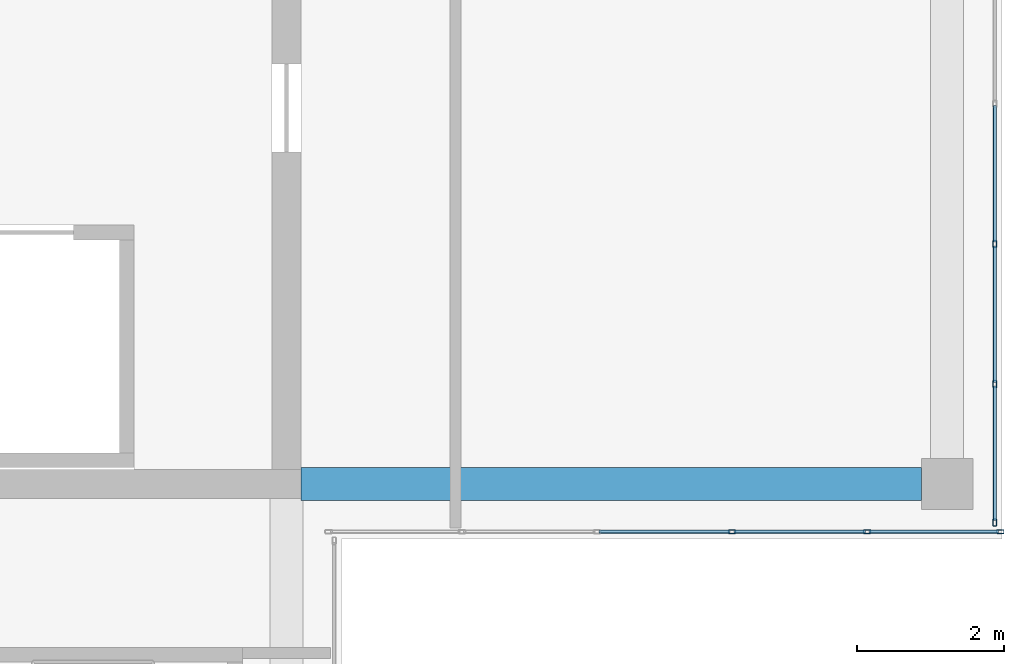
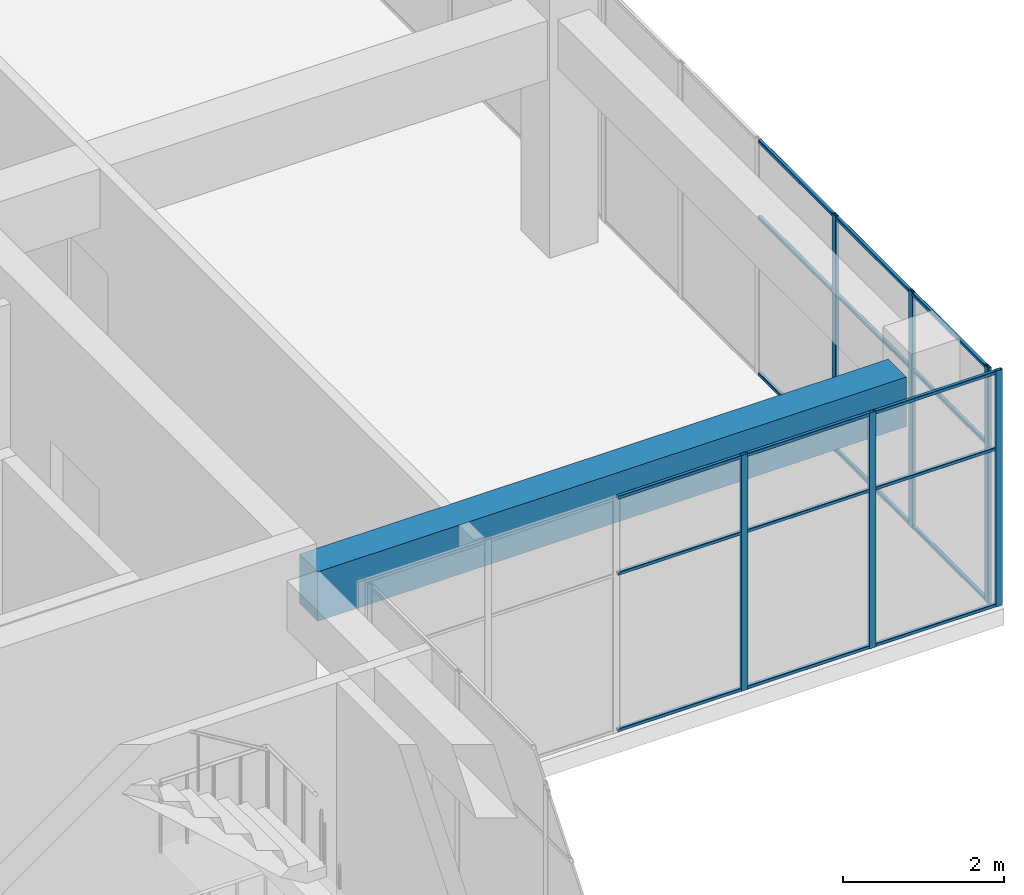
# One storey, part 13 of 32: 24 members, 1 beam, 2 elements without a shape of their own.
"""IFC4 building model written with IfcOpenShell, lengths in metres."""

from ifc_helpers import new_model, si_unit, direction, frame, origin, origin_2d, place, context, subcontext, project, spatial, rectangle, hollow_rectangle, extrude, material, layer, layer_set, material_profile, profile_set, type_object, element, aggregate, save


model = new_model("IFC4")

# Units and contexts
model_context = context("Model", 3, precision=1e-05, world=origin(), true_north=direction((0.0, 1.0)))
body_context = subcontext(model_context, "Body", "Model", "MODEL_VIEW")
ifc_project = project(units=[si_unit("LENGTHUNIT", "METRE"), si_unit("AREAUNIT", "SQUARE_METRE"), si_unit("VOLUMEUNIT", "CUBIC_METRE"), si_unit("PLANEANGLEUNIT", "RADIAN"), si_unit("MASSUNIT", "GRAM", prefix="KILO")], contexts=[model_context])

# Site, building, storey
site_placement = place(None, origin())
site = spatial("IfcSite", under=ifc_project, at=site_placement, CompositionType="ELEMENT")
building_placement = place(site_placement, origin())
building = spatial("IfcBuilding", under=site, at=building_placement, Name="Tuart Plaza Theatre", CompositionType="ELEMENT")
storey_placement = place(building_placement, frame((0.0, 0.0, 37.5)))
storey = spatial("IfcBuildingStorey", under=building, at=storey_placement, Name="L09", CompositionType="ELEMENT", Elevation=37.5)

# Beam
ifc_material_1 = material(Name="Concrete N40 (40 MPa)", Category="concrete")
ifc_material_profile_1 = material_profile(ifc_material_1, rectangle(XDim=0.449951171875, YDim=0.75, at=origin_2d()), Name="BEAM 450x750 Concrete N40 (40 MPa)")
ifc_profile_set_1 = profile_set([ifc_material_profile_1], Name="Concrete N40 (40 MPa)")
beam_type = type_object("IfcBeamType", Name="BEAM 450x750 Concrete N40 (40 MPa)", PredefinedType="BEAM", material=ifc_profile_set_1)
beam_placement = place(storey_placement, frame((141.199951171875, 65.0, 3.205078125), z_axis=(1.0, 0.0, 0.0), x_axis=(0.0, 1.0, 0.0)))
element("IfcBeam", 1, at=beam_placement, inside=storey, type_object=beam_type, Name="RB274", PredefinedType="BEAM", context=body_context, shape_type="SweptSolid", body=[
    extrude(rectangle(XDim=0.449951171875, YDim=0.75, at=origin_2d()), origin(), (0.0, 0.0, 1.0), 8.449951171875),
])

# Curtain wall, members
ifc_material_2 = material(Name="Aluminium and glass", Category="aluminium")
ifc_layer = layer(ifc_material_2, 0.10009765625)
ifc_layer_set = layer_set([ifc_layer], Name="CURTAIN WALL 2000 module")
curtain_wall_type = type_object("IfcCurtainWallType", Name="CURTAIN WALL 2000 module", PredefinedType="NOTDEFINED", material=ifc_layer_set)
curtain_wall_1_placement = place(storey_placement, origin())
curtain_wall_1 = element("IfcCurtainWall", 2, at=curtain_wall_1_placement, inside=storey, type_object=curtain_wall_type, Name="CW91", PredefinedType="NOTDEFINED")
ifc_material_3 = material(Name="Aluminium 6063-T5", Category="aluminium")
ifc_material_profile_2 = material_profile(ifc_material_3, hollow_rectangle(XDim=0.050048828125, YDim=0.10009765625, WallThickness=0.00390625, InnerFilletRadius=0.00390625, OuterFilletRadius=0.008056640625, at=origin_2d()), Name="RHS 100x50x4")
ifc_profile_set_2 = profile_set([ifc_material_profile_2], Name="Aluminium 6063-T5")
member_type_1 = type_object("IfcMemberType", Name="MULLION RHS 100x50x4", PredefinedType="MULLION", material=ifc_profile_set_2)
member_1_placement = place(storey_placement, frame((147.070068359375, 64.35009765625, 0.0), z_axis=(0.0, 0.0, 1.0), x_axis=(0.0, 1.0, 0.0)))
member_1 = element("IfcMember", 3, at=member_1_placement, type_object=member_type_1, Name="CW91 mullion 4", PredefinedType="MULLION", context=body_context, shape_type="SweptSolid", body=[
    extrude(hollow_rectangle(XDim=0.050048828125, YDim=0.10009765625, WallThickness=0.00390625, InnerFilletRadius=0.00390625, OuterFilletRadius=0.008056640625, at=origin_2d()), origin(), (0.0, 0.0, 1.0), 3.580078125),
])
member_2_placement = place(storey_placement, frame((148.909912109375, 64.35009765625, 0.0), z_axis=(0.0, 0.0, 1.0), x_axis=(0.0, 1.0, 0.0)))
member_2 = element("IfcMember", 4, at=member_2_placement, type_object=member_type_1, Name="CW91 mullion 5", PredefinedType="MULLION", context=body_context, shape_type="SweptSolid", body=[
    extrude(hollow_rectangle(XDim=0.050048828125, YDim=0.10009765625, WallThickness=0.00390625, InnerFilletRadius=0.00390625, OuterFilletRadius=0.008056640625, at=origin_2d()), origin(), (0.0, 0.0, 1.0), 3.580078125),
])
member_3_placement = place(storey_placement, frame((150.72509765625, 64.35009765625, 0.0), z_axis=(0.0, 0.0, 1.0), x_axis=(0.0, 1.0, 0.0)))
member_3 = element("IfcMember", 5, at=member_3_placement, type_object=member_type_1, Name="CW91 mullion 6", PredefinedType="MULLION", context=body_context, shape_type="SweptSolid", body=[
    extrude(hollow_rectangle(XDim=0.050048828125, YDim=0.10009765625, WallThickness=0.00390625, InnerFilletRadius=0.00390625, OuterFilletRadius=0.008056640625, at=origin_2d()), origin(), (0.0, 0.0, 1.0), 3.580078125),
])

curtain_wall_2_placement = place(storey_placement, origin())
curtain_wall_2 = element("IfcCurtainWall", 6, at=curtain_wall_2_placement, inside=storey, type_object=curtain_wall_type, Name="CW92", PredefinedType="NOTDEFINED")
member_4_placement = place(storey_placement, frame((150.64990234375, 64.47509765625, 0.0), z_axis=(0.0, 0.0, 1.0), x_axis=(-1.0, 0.0, 0.0)))
member_4 = element("IfcMember", 7, at=member_4_placement, type_object=member_type_1, Name="CW92 mullion 1", PredefinedType="MULLION", context=body_context, shape_type="SweptSolid", body=[
    extrude(hollow_rectangle(XDim=0.050048828125, YDim=0.10009765625, WallThickness=0.00390625, InnerFilletRadius=0.00390625, OuterFilletRadius=0.008056640625, at=origin_2d()), origin(), (0.0, 0.0, 1.0), 3.580078125),
])
member_5_placement = place(storey_placement, frame((150.64990234375, 66.360107421875, 0.0), z_axis=(0.0, 0.0, 1.0), x_axis=(-1.0, 0.0, 0.0)))
member_5 = element("IfcMember", 8, at=member_5_placement, type_object=member_type_1, Name="CW92 mullion 2", PredefinedType="MULLION", context=body_context, shape_type="SweptSolid", body=[
    extrude(hollow_rectangle(XDim=0.050048828125, YDim=0.10009765625, WallThickness=0.00390625, InnerFilletRadius=0.00390625, OuterFilletRadius=0.008056640625, at=origin_2d()), origin(), (0.0, 0.0, 1.0), 3.580078125),
])
member_6_placement = place(storey_placement, frame((150.64990234375, 68.27001953125, 0.0), z_axis=(0.0, 0.0, 1.0), x_axis=(-1.0, 0.0, 0.0)))
member_6 = element("IfcMember", 9, at=member_6_placement, type_object=member_type_1, Name="CW92 mullion 3", PredefinedType="MULLION", context=body_context, shape_type="SweptSolid", body=[
    extrude(hollow_rectangle(XDim=0.050048828125, YDim=0.10009765625, WallThickness=0.00390625, InnerFilletRadius=0.00390625, OuterFilletRadius=0.008056640625, at=origin_2d()), origin(), (0.0, 0.0, 1.0), 3.580078125),
])

# Member
ifc_material_4 = material(Name="Aluminium 6063-T5", Category="aluminium")
ifc_material_profile_3 = material_profile(ifc_material_4, hollow_rectangle(XDim=0.050048828125, YDim=0.050048828125, WallThickness=0.00390625, InnerFilletRadius=0.00390625, OuterFilletRadius=0.008056640625, at=origin_2d()), Name="RHS 50x50x4")
ifc_profile_set_3 = profile_set([ifc_material_profile_3], Name="Aluminium 6063-T5")
member_type_2 = type_object("IfcMemberType", Name="TRANSOM RHS 50x50x4", PredefinedType="USERDEFINED", material=ifc_profile_set_3)
member_7_placement = place(storey_placement, frame((145.2548828125, 64.35009765625, 0.02490234375), z_axis=(1.0, 0.0, 0.0), x_axis=(0.0, 1.0, 0.0)))
member_7 = element("IfcMember", 10, at=member_7_placement, type_object=member_type_2, Name="CW91 transom 3.1", ObjectType="TRANSOM", PredefinedType="USERDEFINED", context=body_context, shape_type="SweptSolid", body=[
    extrude(hollow_rectangle(XDim=0.050048828125, YDim=0.050048828125, WallThickness=0.00390625, InnerFilletRadius=0.00390625, OuterFilletRadius=0.008056640625, at=origin_2d()), origin(), (0.0, 0.0, 1.0), 1.7900390625),
])

member_8_placement = place(storey_placement, frame((145.2548828125, 64.35009765625, 2.39990234375), z_axis=(1.0, 0.0, 0.0), x_axis=(0.0, 1.0, 0.0)))
member_8 = element("IfcMember", 11, at=member_8_placement, type_object=member_type_2, Name="CW91 transom 3.2", ObjectType="TRANSOM", PredefinedType="USERDEFINED", context=body_context, shape_type="SweptSolid", body=[
    extrude(hollow_rectangle(XDim=0.050048828125, YDim=0.050048828125, WallThickness=0.00390625, InnerFilletRadius=0.00390625, OuterFilletRadius=0.008056640625, at=origin_2d()), origin(), (0.0, 0.0, 1.0), 1.7900390625),
])

member_9_placement = place(storey_placement, frame((145.2548828125, 64.35009765625, 3.554931640625), z_axis=(1.0, 0.0, 0.0), x_axis=(0.0, 1.0, 0.0)))
member_9 = element("IfcMember", 12, at=member_9_placement, type_object=member_type_2, Name="CW91 transom 3.3", ObjectType="TRANSOM", PredefinedType="USERDEFINED", context=body_context, shape_type="SweptSolid", body=[
    extrude(hollow_rectangle(XDim=0.050048828125, YDim=0.050048828125, WallThickness=0.00390625, InnerFilletRadius=0.00390625, OuterFilletRadius=0.008056640625, at=origin_2d()), origin(), (0.0, 0.0, 1.0), 1.7900390625),
])

member_10_placement = place(storey_placement, frame((147.094970703125, 64.35009765625, 0.02490234375), z_axis=(1.0, 0.0, 0.0), x_axis=(0.0, 1.0, 0.0)))
member_10 = element("IfcMember", 13, at=member_10_placement, type_object=member_type_2, Name="CW91 transom 4.1", ObjectType="TRANSOM", PredefinedType="USERDEFINED", context=body_context, shape_type="SweptSolid", body=[
    extrude(hollow_rectangle(XDim=0.050048828125, YDim=0.050048828125, WallThickness=0.00390625, InnerFilletRadius=0.00390625, OuterFilletRadius=0.008056640625, at=origin_2d()), origin(), (0.0, 0.0, 1.0), 1.7900390625),
])

member_11_placement = place(storey_placement, frame((147.094970703125, 64.35009765625, 2.39990234375), z_axis=(1.0, 0.0, 0.0), x_axis=(0.0, 1.0, 0.0)))
member_11 = element("IfcMember", 14, at=member_11_placement, type_object=member_type_2, Name="CW91 transom 4.2", ObjectType="TRANSOM", PredefinedType="USERDEFINED", context=body_context, shape_type="SweptSolid", body=[
    extrude(hollow_rectangle(XDim=0.050048828125, YDim=0.050048828125, WallThickness=0.00390625, InnerFilletRadius=0.00390625, OuterFilletRadius=0.008056640625, at=origin_2d()), origin(), (0.0, 0.0, 1.0), 1.7900390625),
])

member_12_placement = place(storey_placement, frame((147.094970703125, 64.35009765625, 3.554931640625), z_axis=(1.0, 0.0, 0.0), x_axis=(0.0, 1.0, 0.0)))
member_12 = element("IfcMember", 15, at=member_12_placement, type_object=member_type_2, Name="CW91 transom 4.3", ObjectType="TRANSOM", PredefinedType="USERDEFINED", context=body_context, shape_type="SweptSolid", body=[
    extrude(hollow_rectangle(XDim=0.050048828125, YDim=0.050048828125, WallThickness=0.00390625, InnerFilletRadius=0.00390625, OuterFilletRadius=0.008056640625, at=origin_2d()), origin(), (0.0, 0.0, 1.0), 1.7900390625),
])

member_13_placement = place(storey_placement, frame((148.93505859375, 64.35009765625, 0.02490234375), z_axis=(1.0, 0.0, 0.0), x_axis=(0.0, 1.0, 0.0)))
member_13 = element("IfcMember", 16, at=member_13_placement, type_object=member_type_2, Name="CW91 transom 5.1", ObjectType="TRANSOM", PredefinedType="USERDEFINED", context=body_context, shape_type="SweptSolid", body=[
    extrude(hollow_rectangle(XDim=0.050048828125, YDim=0.050048828125, WallThickness=0.00390625, InnerFilletRadius=0.00390625, OuterFilletRadius=0.008056640625, at=origin_2d()), origin(), (0.0, 0.0, 1.0), 1.764892578125),
])

member_14_placement = place(storey_placement, frame((148.93505859375, 64.35009765625, 2.39990234375), z_axis=(1.0, 0.0, 0.0), x_axis=(0.0, 1.0, 0.0)))
member_14 = element("IfcMember", 17, at=member_14_placement, type_object=member_type_2, Name="CW91 transom 5.2", ObjectType="TRANSOM", PredefinedType="USERDEFINED", context=body_context, shape_type="SweptSolid", body=[
    extrude(hollow_rectangle(XDim=0.050048828125, YDim=0.050048828125, WallThickness=0.00390625, InnerFilletRadius=0.00390625, OuterFilletRadius=0.008056640625, at=origin_2d()), origin(), (0.0, 0.0, 1.0), 1.764892578125),
])

member_15_placement = place(storey_placement, frame((148.93505859375, 64.35009765625, 3.554931640625), z_axis=(1.0, 0.0, 0.0), x_axis=(0.0, 1.0, 0.0)))
member_15 = element("IfcMember", 18, at=member_15_placement, type_object=member_type_2, Name="CW91 transom 5.3", ObjectType="TRANSOM", PredefinedType="USERDEFINED", context=body_context, shape_type="SweptSolid", body=[
    extrude(hollow_rectangle(XDim=0.050048828125, YDim=0.050048828125, WallThickness=0.00390625, InnerFilletRadius=0.00390625, OuterFilletRadius=0.008056640625, at=origin_2d()), origin(), (0.0, 0.0, 1.0), 1.764892578125),
])

aggregate(curtain_wall_1, [member_1, member_2, member_3, member_7, member_8, member_9, member_10, member_11, member_12, member_13, member_14, member_15])

member_16_placement = place(storey_placement, frame((150.64990234375, 64.5, 0.02490234375), z_axis=(0.0, 1.0, 0.0), x_axis=(-1.0, 0.0, 0.0)))
member_16 = element("IfcMember", 19, at=member_16_placement, type_object=member_type_2, Name="CW92 transom 1.1", ObjectType="TRANSOM", PredefinedType="USERDEFINED", context=body_context, shape_type="SweptSolid", body=[
    extrude(hollow_rectangle(XDim=0.050048828125, YDim=0.050048828125, WallThickness=0.00390625, InnerFilletRadius=0.00390625, OuterFilletRadius=0.008056640625, at=origin_2d()), origin(), (0.0, 0.0, 1.0), 1.8349609375),
])

member_17_placement = place(storey_placement, frame((150.64990234375, 64.5, 2.39990234375), z_axis=(0.0, 1.0, 0.0), x_axis=(-1.0, 0.0, 0.0)))
member_17 = element("IfcMember", 20, at=member_17_placement, type_object=member_type_2, Name="CW92 transom 1.2", ObjectType="TRANSOM", PredefinedType="USERDEFINED", context=body_context, shape_type="SweptSolid", body=[
    extrude(hollow_rectangle(XDim=0.050048828125, YDim=0.050048828125, WallThickness=0.00390625, InnerFilletRadius=0.00390625, OuterFilletRadius=0.008056640625, at=origin_2d()), origin(), (0.0, 0.0, 1.0), 1.8349609375),
])

member_18_placement = place(storey_placement, frame((150.64990234375, 64.5, 3.554931640625), z_axis=(0.0, 1.0, 0.0), x_axis=(-1.0, 0.0, 0.0)))
member_18 = element("IfcMember", 21, at=member_18_placement, type_object=member_type_2, Name="CW92 transom 1.3", ObjectType="TRANSOM", PredefinedType="USERDEFINED", context=body_context, shape_type="SweptSolid", body=[
    extrude(hollow_rectangle(XDim=0.050048828125, YDim=0.050048828125, WallThickness=0.00390625, InnerFilletRadius=0.00390625, OuterFilletRadius=0.008056640625, at=origin_2d()), origin(), (0.0, 0.0, 1.0), 1.8349609375),
])

member_19_placement = place(storey_placement, frame((150.64990234375, 66.385009765625, 0.02490234375), z_axis=(0.0, 1.0, 0.0), x_axis=(-1.0, 0.0, 0.0)))
member_19 = element("IfcMember", 22, at=member_19_placement, type_object=member_type_2, Name="CW92 transom 2.1", ObjectType="TRANSOM", PredefinedType="USERDEFINED", context=body_context, shape_type="SweptSolid", body=[
    extrude(hollow_rectangle(XDim=0.050048828125, YDim=0.050048828125, WallThickness=0.00390625, InnerFilletRadius=0.00390625, OuterFilletRadius=0.008056640625, at=origin_2d()), origin(), (0.0, 0.0, 1.0), 1.860107421875),
])

member_20_placement = place(storey_placement, frame((150.64990234375, 66.385009765625, 2.39990234375), z_axis=(0.0, 1.0, 0.0), x_axis=(-1.0, 0.0, 0.0)))
member_20 = element("IfcMember", 23, at=member_20_placement, type_object=member_type_2, Name="CW92 transom 2.2", ObjectType="TRANSOM", PredefinedType="USERDEFINED", context=body_context, shape_type="SweptSolid", body=[
    extrude(hollow_rectangle(XDim=0.050048828125, YDim=0.050048828125, WallThickness=0.00390625, InnerFilletRadius=0.00390625, OuterFilletRadius=0.008056640625, at=origin_2d()), origin(), (0.0, 0.0, 1.0), 1.860107421875),
])

member_21_placement = place(storey_placement, frame((150.64990234375, 66.385009765625, 3.554931640625), z_axis=(0.0, 1.0, 0.0), x_axis=(-1.0, 0.0, 0.0)))
member_21 = element("IfcMember", 24, at=member_21_placement, type_object=member_type_2, Name="CW92 transom 2.3", ObjectType="TRANSOM", PredefinedType="USERDEFINED", context=body_context, shape_type="SweptSolid", body=[
    extrude(hollow_rectangle(XDim=0.050048828125, YDim=0.050048828125, WallThickness=0.00390625, InnerFilletRadius=0.00390625, OuterFilletRadius=0.008056640625, at=origin_2d()), origin(), (0.0, 0.0, 1.0), 1.860107421875),
])

member_22_placement = place(storey_placement, frame((150.64990234375, 68.294921875, 0.02490234375), z_axis=(0.0, 1.0, 0.0), x_axis=(-1.0, 0.0, 0.0)))
member_22 = element("IfcMember", 25, at=member_22_placement, type_object=member_type_2, Name="CW92 transom 3.1", ObjectType="TRANSOM", PredefinedType="USERDEFINED", context=body_context, shape_type="SweptSolid", body=[
    extrude(hollow_rectangle(XDim=0.050048828125, YDim=0.050048828125, WallThickness=0.00390625, InnerFilletRadius=0.00390625, OuterFilletRadius=0.008056640625, at=origin_2d()), origin(), (0.0, 0.0, 1.0), 1.860107421875),
])

member_23_placement = place(storey_placement, frame((150.64990234375, 68.294921875, 2.39990234375), z_axis=(0.0, 1.0, 0.0), x_axis=(-1.0, 0.0, 0.0)))
member_23 = element("IfcMember", 26, at=member_23_placement, type_object=member_type_2, Name="CW92 transom 3.2", ObjectType="TRANSOM", PredefinedType="USERDEFINED", context=body_context, shape_type="SweptSolid", body=[
    extrude(hollow_rectangle(XDim=0.050048828125, YDim=0.050048828125, WallThickness=0.00390625, InnerFilletRadius=0.00390625, OuterFilletRadius=0.008056640625, at=origin_2d()), origin(), (0.0, 0.0, 1.0), 1.860107421875),
])

member_24_placement = place(storey_placement, frame((150.64990234375, 68.294921875, 3.554931640625), z_axis=(0.0, 1.0, 0.0), x_axis=(-1.0, 0.0, 0.0)))
member_24 = element("IfcMember", 27, at=member_24_placement, type_object=member_type_2, Name="CW92 transom 3.3", ObjectType="TRANSOM", PredefinedType="USERDEFINED", context=body_context, shape_type="SweptSolid", body=[
    extrude(hollow_rectangle(XDim=0.050048828125, YDim=0.050048828125, WallThickness=0.00390625, InnerFilletRadius=0.00390625, OuterFilletRadius=0.008056640625, at=origin_2d()), origin(), (0.0, 0.0, 1.0), 1.860107421875),
])

aggregate(curtain_wall_2, [member_4, member_5, member_6, member_16, member_17, member_18, member_19, member_20, member_21, member_22, member_23, member_24])

save(model, "model.ifc")
